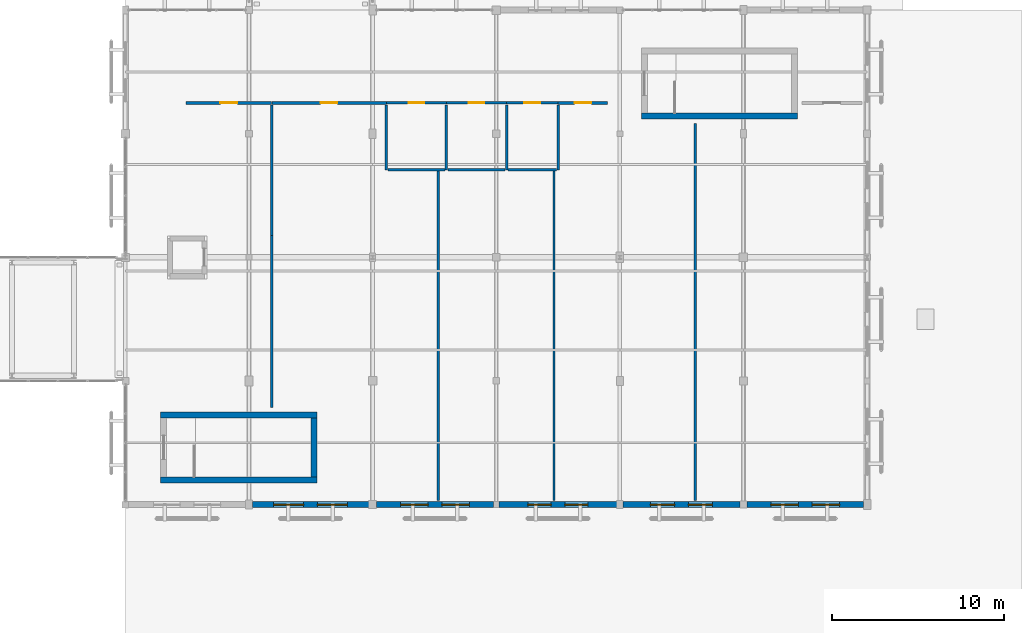
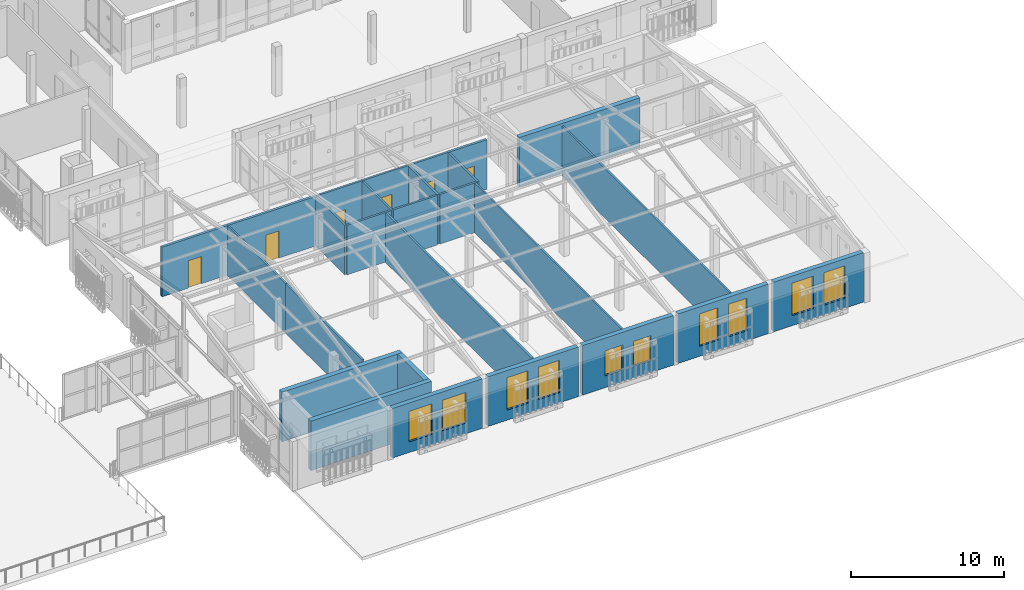
# One storey, part 86 of 112: 27 walls, 10 windows, 6 doors, 16 openings.
"""IFC4 building model written with IfcOpenShell, lengths in metres."""

import ifcopenshell
import ifcopenshell.guid

model = None  # the IFC model being written
_history = None  # IfcOwnerHistory: only IFC2X3 demands one
_inside = {}  # id of a spatial element -> (the spatial element, [elements in it])
_under = {}  # id of a project, library or spatial element -> (it, [spatial elements below it])
_declared = {}  # id of a project -> (the project, [libraries it declares])
_typed = {}  # id of a type object -> (the type object, [elements of that type])
_made_of = {}  # id of a material, layer set ... -> (it, [elements and type objects made of it])


def new_model(schema):
    """Start an empty IFC model of exactly this schema.

    Asked for "IFC4X3", IfcOpenShell would pick the latest addendum, in which some entities
    have other attributes; the version numbers below select the first issue.
    IFC2X3 requires an IfcOwnerHistory on every rooted entity: one is made here for all.
    """
    global model, _history
    if schema == "IFC4X3":
        model = ifcopenshell.file(schema_version=(4, 3, 0, 0))
    else:
        model = ifcopenshell.file(schema=schema)
    _inside.clear()
    _under.clear()
    _declared.clear()
    _typed.clear()
    _made_of.clear()
    _history = None
    if model.schema == "IFC2X3":
        org = make("IfcOrganization", Name="unknown")
        user = make(
            "IfcPersonAndOrganization",
            ThePerson=make("IfcPerson", FamilyName="unknown"),
            TheOrganization=org,
        )
        app = make(
            "IfcApplication",
            ApplicationDeveloper=org,
            Version="unknown",
            ApplicationFullName="unknown",
            ApplicationIdentifier="unknown",
        )
        _history = make(
            "IfcOwnerHistory",
            OwningUser=user,
            OwningApplication=app,
            ChangeAction="ADDED",
            CreationDate=0,
        )
    return model


def make(cls, **values):
    """One entity of the class cls with the attributes given. An attribute that is None is left unset."""
    return model.create_entity(
        cls, **{name: value for name, value in values.items() if value is not None}
    )


def rooted(cls, **values):
    """An entity with a GlobalId (a new one), such as an element, a storey or a relation."""
    return make(cls, GlobalId=ifcopenshell.guid.new(), OwnerHistory=_history, **values)


def si_unit(unit_type, name, prefix=None):
    """IfcSIUnit, for example si_unit("LENGTHUNIT", "METRE", prefix="MILLI")."""
    return make("IfcSIUnit", UnitType=unit_type, Prefix=prefix, Name=name)


def assignment(units):
    """IfcUnitAssignment: the units of a project."""
    return None if units is None else make("IfcUnitAssignment", Units=units)


def point(xyz):
    """IfcCartesianPoint."""
    return None if xyz is None else make("IfcCartesianPoint", Coordinates=xyz)


def direction(xyz):
    """IfcDirection."""
    return None if xyz is None else make("IfcDirection", DirectionRatios=xyz)


def frame(location, z_axis=None, x_axis=None):
    """IfcAxis2Placement3D, a coordinate frame: its origin and axes. An axis left out is left unset."""
    return make(
        "IfcAxis2Placement3D",
        Location=point(location),
        Axis=direction(z_axis),
        RefDirection=direction(x_axis),
    )


def frame_2d(location, x_axis=None):
    """IfcAxis2Placement2D, a coordinate frame in the plane: its origin and x axis."""
    return make(
        "IfcAxis2Placement2D", Location=point(location), RefDirection=direction(x_axis)
    )


def origin():
    """The frame at (0, 0, 0) with its axes left unset."""
    return frame((0.0, 0.0, 0.0))


def place(relative_to, where):
    """IfcLocalPlacement: puts the frame where relative to a parent placement (None: the world)."""
    return make(
        "IfcLocalPlacement", PlacementRelTo=relative_to, RelativePlacement=where
    )


def context(
    kind, dimensions, precision=None, world=None, true_north=None, identifier=None
):
    """IfcGeometricRepresentationContext, for example the 3D "Model" context."""
    return make(
        "IfcGeometricRepresentationContext",
        ContextIdentifier=identifier,
        ContextType=kind,
        CoordinateSpaceDimension=dimensions,
        Precision=precision,
        WorldCoordinateSystem=world,
        TrueNorth=true_north,
    )


def subcontext(parent, identifier, kind, view, scale=None):
    """IfcGeometricRepresentationSubContext, for example "Body" below "Model"."""
    return make(
        "IfcGeometricRepresentationSubContext",
        ContextIdentifier=identifier,
        ContextType=kind,
        ParentContext=parent,
        TargetScale=scale,
        TargetView=view,
    )


def project(units=None, contexts=None):
    """IfcProject with its units and contexts."""
    return rooted(
        "IfcProject",
        Name="project",
        RepresentationContexts=contexts,
        UnitsInContext=assignment(units),
    )


def spatial(cls, under=None, at=None, **own):
    """A site, building, storey or space (cls), placed at a placement, below another one or the project."""
    s = rooted(cls, ObjectPlacement=at, **own)
    if under is not None:
        _under.setdefault(under.id(), (under, []))[1].append(s)
    return s


def profile(cls, at=None, kind="AREA", **sizes):
    """A parametric profile (cls). Its sizes go by their IFC names, for example OverallWidth=200.0."""
    return make(cls, ProfileType=kind, Position=at, **sizes)


def rectangle(**sizes):
    """IfcRectangleProfileDef."""
    return profile("IfcRectangleProfileDef", **sizes)


def extrude(swept, where, along, depth):
    """IfcExtrudedAreaSolid: the profile swept, set in the frame where, extruded along a direction by depth."""
    return make(
        "IfcExtrudedAreaSolid",
        SweptArea=swept,
        Position=where,
        ExtrudedDirection=direction(along),
        Depth=depth,
    )


def shape(context_of_items, identifier, shape_type, items):
    """IfcShapeRepresentation: the items that make up one representation, for example the "Body"."""
    return make(
        "IfcShapeRepresentation",
        ContextOfItems=context_of_items,
        RepresentationIdentifier=identifier,
        RepresentationType=shape_type,
        Items=items,
    )


def material(Name=None, Category=None):
    """IfcMaterial."""
    return make("IfcMaterial", Name=Name, Category=Category)


def layer(
    of_material, thickness, ventilated=None, Name=None, Category=None, Priority=None
):
    """IfcMaterialLayer: one layer of a wall or slab, of a material (None: an air gap)."""
    return make(
        "IfcMaterialLayer",
        Material=of_material,
        LayerThickness=thickness,
        IsVentilated=ventilated,
        Name=Name,
        Category=Category,
        Priority=Priority,
    )


def layer_set(layers, Name=None):
    """IfcMaterialLayerSet."""
    return make("IfcMaterialLayerSet", MaterialLayers=layers, LayerSetName=Name)


def made_of(thing, what):
    """Note that an element or type object is made of a material, layer set ...; save() writes the relation."""
    if what is not None:
        _made_of.setdefault(what.id(), (what, []))[1].append(thing)
    return thing


def type_object(cls, material=None, **own):
    """A type object (cls), such as IfcWallType, which elements share."""
    return made_of(rooted(cls, **own), material)


def element(
    cls,
    number,
    at=None,
    inside=None,
    cuts=None,
    type_object=None,
    material=None,
    context=None,
    identifier="Body",
    shape_type=None,
    held_by="IfcProductDefinitionShape",
    body=None,
    shapes=None,
    **own,
):
    """One element of the class cls, such as IfcWall. Its Tag is "e" and its number.

    at: its placement. inside: the storey or other place that contains it. cuts: it is an
    opening in that element (IfcRelVoidsElement). A single representation is given by context,
    identifier, shape_type and body (its items); several are given by shapes. held_by: the class
    of the entity that holds the representations. save() writes the other relations.
    """
    e = rooted(cls, Tag="e%d" % number, ObjectPlacement=at, **own)
    if body is not None:
        shapes = [shape(context, identifier, shape_type, body)]
    if shapes is not None:
        e.Representation = make(held_by, Representations=shapes)
    if inside is not None:
        _inside.setdefault(inside.id(), (inside, []))[1].append(e)
    if cuts is not None:
        rooted(
            "IfcRelVoidsElement", RelatingBuildingElement=cuts, RelatedOpeningElement=e
        )
    if type_object is not None:
        _typed.setdefault(type_object.id(), (type_object, []))[1].append(e)
    return made_of(e, material)


def fill(opening, filler):
    """IfcRelFillsElement: the door or window that sits in an opening."""
    return rooted(
        "IfcRelFillsElement",
        RelatingOpeningElement=opening,
        RelatedBuildingElement=filler,
    )


def aggregate(whole, parts):
    """IfcRelAggregates: a whole, such as a stair, and the parts it consists of."""
    return rooted("IfcRelAggregates", RelatingObject=whole, RelatedObjects=parts)


def save(model, path):
    """Write the relations noted so far, then the file.

    IfcRelAggregates (storeys below a building ...), IfcRelContainedInSpatialStructure (elements
    in a storey), IfcRelDefinesByType, IfcRelAssociatesMaterial and IfcRelDeclares: one each for
    every whole, place, type object, material and project.
    """
    for whole, parts in _under.values():
        aggregate(whole, parts)
    for where, things in _inside.values():
        rooted(
            "IfcRelContainedInSpatialStructure",
            RelatedElements=things,
            RelatingStructure=where,
        )
    for kind, things in _typed.values():
        rooted("IfcRelDefinesByType", RelatedObjects=things, RelatingType=kind)
    for what, things in _made_of.values():
        rooted("IfcRelAssociatesMaterial", RelatedObjects=things, RelatingMaterial=what)
    for by, libraries in _declared.values():
        rooted("IfcRelDeclares", RelatingContext=by, RelatedDefinitions=libraries)
    model.write(path)


model = new_model("IFC4")

# Units and contexts
model_context = context("Model", 3, precision=1e-05, world=origin(), true_north=direction((0.0, 1.0)))
body_context = subcontext(model_context, "Body", "Model", "MODEL_VIEW")
ifc_project = project(units=[si_unit("LENGTHUNIT", "METRE"), si_unit("AREAUNIT", "SQUARE_METRE"), si_unit("VOLUMEUNIT", "CUBIC_METRE"), si_unit("PLANEANGLEUNIT", "RADIAN"), si_unit("MASSUNIT", "GRAM", prefix="KILO")], contexts=[model_context])

# Site, building, storey
site_placement = place(None, origin())
site = spatial("IfcSite", under=ifc_project, at=site_placement, CompositionType="ELEMENT")
building_placement = place(site_placement, origin())
building = spatial("IfcBuilding", under=site, at=building_placement, Name="Mazaris Harbour Polytechnic", CompositionType="ELEMENT")
storey_placement = place(building_placement, frame((0.0, 0.0, 13.800048828125)))
storey = spatial("IfcBuildingStorey", under=building, at=storey_placement, Name="L03", CompositionType="ELEMENT", Elevation=13.800048828125)

# Walls
ifc_material_1 = material(Name="Gypsum Board and Mineral Wool")
ifc_layer_1 = layer(ifc_material_1, 0.1201171875, Name="Gypsum Board and Mineral Wool")
ifc_layer_set_1 = layer_set([ifc_layer_1], Name="Gypsum Board and Mineral Wool")
wall_type_1 = type_object("IfcWallType", Name="Acoustic Stud Partition 120", PredefinedType="PARTITIONING", material=ifc_layer_set_1)
wall_1_placement = place(storey_placement, frame((147.3701171875, 14.64990234375, 0.0), z_axis=(0.0, 0.0, 1.0), x_axis=(0.0, 1.0, 0.0)))
element("IfcWall", 1, at=wall_1_placement, inside=storey, type_object=wall_type_1, Name="V2 L03 Partition 171", PredefinedType="PARTITIONING", context=body_context, shape_type="SweptSolid", body=[
    extrude(rectangle(XDim=19.16748046875, YDim=0.1201171875, at=frame_2d((9.583740234375, 0.0))), origin(), (0.0, 0.0, 1.0), 3.9599609375),
])
ifc_material_2 = material(Name="Double Gypsum and Mineral Wool")
ifc_layer_2 = layer(ifc_material_2, 0.14990234375, Name="Double Gypsum and Mineral Wool")
ifc_layer_set_2 = layer_set([ifc_layer_2], Name="Double Gypsum and Mineral Wool")
wall_type_2 = type_object("IfcWallType", Name="Classroom Acoustic Partition 150", PredefinedType="PARTITIONING", material=ifc_layer_set_2)
wall_2_placement = place(storey_placement, frame((140.62890625, 14.64990234375, 0.0), z_axis=(0.0, 0.0, 1.0), x_axis=(0.0, 1.0, 0.0)))
element("IfcWall", 2, at=wall_2_placement, inside=storey, type_object=wall_type_2, Name="V2 L03 Partition 169", PredefinedType="PARTITIONING", context=body_context, shape_type="SweptSolid", body=[
    extrude(rectangle(XDim=19.16748046875, YDim=0.14990234375, at=frame_2d((9.583740234375, 0.0))), origin(), (0.0, 0.0, 1.0), 3.9599609375),
])

# Wall, opening, door
ifc_material_3 = material(Name="Terracotta Block and Plaster", Category="masonry")
ifc_layer_3 = layer(ifc_material_3, 0.179931640625, Name="Terracotta Block and Plaster")
ifc_layer_set_3 = layer_set([ifc_layer_3], Name="Terracotta Block and Plaster")
wall_type_3 = type_object("IfcWallType", Name="Corridor Fire Partition 180", PredefinedType="PARTITIONING", material=ifc_layer_set_3)
wall_3_placement = place(storey_placement, frame((125.919921875, 37.800048828125, 0.0), z_axis=(0.0, 0.0, 1.0), x_axis=(1.0, 0.0, 0.0)))
wall_3 = element("IfcWall", 3, at=wall_3_placement, inside=storey, type_object=wall_type_3, Name="V2 L03 Partition 165", PredefinedType="PARTITIONING", context=body_context, shape_type="SweptSolid", body=[
    extrude(rectangle(XDim=5.003173828125, YDim=0.179931640625, at=frame_2d((2.50146484375, 0.0))), origin(), (0.0, 0.0, 1.0), 3.9599609375),
])
opening_1_placement = place(wall_3_placement, frame((2.006591796875, 0.0, 0.0)))
opening_1 = element("IfcOpeningElement", 4, at=opening_1_placement, cuts=wall_3, Name="Opening ID-08R", PredefinedType="OPENING", context=body_context, shape_type="SweptSolid", body=[
    extrude(rectangle(XDim=0.989990234375, YDim=2.179931640625, at=frame_2d((0.4951171875, 1.08984375))), frame((0.0, 0.099853515625, 0.0), z_axis=(0.0, -1.0, 0.0), x_axis=(1.0, 0.0, 0.0)), (0.0, 0.0, 1.0), 0.199951171875),
])
ifc_material_4 = material(Name="Solid Oak Timber", Category="wood")
door_type_1 = type_object("IfcDoorType", Name="Seminar Room Door RH 990x2180", OperationType="SINGLE_SWING_RIGHT", PredefinedType="DOOR", material=ifc_material_4)
door_1_placement = place(opening_1_placement, origin())
door_1 = element("IfcDoor", 5, at=door_1_placement, inside=storey, type_object=door_type_1, Name="ID-0077", OperationType="SINGLE_SWING_RIGHT", OverallHeight=2.179931640625, OverallWidth=0.989990234375, PredefinedType="DOOR", context=body_context, shape_type="SweptSolid", body=[
    extrude(rectangle(XDim=0.989990234375, YDim=2.179931640625, at=frame_2d((0.4951171875, 1.08984375))), frame((0.0, 0.02490234375, 0.0), z_axis=(0.0, -1.0, 0.0), x_axis=(1.0, 0.0, 0.0)), (0.0, 0.0, 1.0), 0.050048828125),
])
fill(opening_1, door_1)

wall_4_placement = place(storey_placement, frame((130.927978515625, 37.800048828125, 0.0), z_axis=(0.0, 0.0, 1.0), x_axis=(1.0, 0.0, 0.0)))
wall_4 = element("IfcWall", 6, at=wall_4_placement, inside=storey, type_object=wall_type_3, Name="V2 L03 Partition 167", PredefinedType="PARTITIONING", context=body_context, shape_type="SweptSolid", body=[
    extrude(rectangle(XDim=6.6669921875, YDim=0.179931640625, at=frame_2d((3.33349609375, 0.0))), origin(), (0.0, 0.0, 1.0), 3.9599609375),
])
opening_2_placement = place(wall_4_placement, frame((2.843505859375, 0.0, 0.0)))
opening_2 = element("IfcOpeningElement", 7, at=opening_2_placement, cuts=wall_4, Name="Opening ID-08L", PredefinedType="OPENING", context=body_context, shape_type="SweptSolid", body=[
    extrude(rectangle(XDim=0.97998046875, YDim=2.179931640625, at=frame_2d((0.489990234375, 1.08984375))), frame((0.0, 0.099853515625, 0.0), z_axis=(0.0, -1.0, 0.0), x_axis=(1.0, 0.0, 0.0)), (0.0, 0.0, 1.0), 0.199951171875),
])
ifc_material_5 = material(Name="Solid Oak Timber", Category="wood")
door_type_2 = type_object("IfcDoorType", Name="Seminar Room Door LH 980x2180", OperationType="SINGLE_SWING_LEFT", PredefinedType="DOOR", material=ifc_material_5)
door_2_placement = place(opening_2_placement, origin())
door_2 = element("IfcDoor", 8, at=door_2_placement, inside=storey, type_object=door_type_2, Name="ID-0078", OperationType="SINGLE_SWING_LEFT", OverallHeight=2.179931640625, OverallWidth=0.97998046875, PredefinedType="DOOR", context=body_context, shape_type="SweptSolid", body=[
    extrude(rectangle(XDim=0.97998046875, YDim=2.179931640625, at=frame_2d((0.489990234375, 1.08984375))), frame((0.0, 0.02490234375, 0.0), z_axis=(0.0, -1.0, 0.0), x_axis=(1.0, 0.0, 0.0)), (0.0, 0.0, 1.0), 0.050048828125),
])
fill(opening_2, door_2)

wall_5_placement = place(storey_placement, frame((147.60498046875, 37.800048828125, 0.0), z_axis=(0.0, 0.0, 1.0), x_axis=(1.0, 0.0, 0.0)))
wall_5 = element("IfcWall", 9, at=wall_5_placement, inside=storey, type_object=wall_type_3, Name="V2 L03 Partition 170", PredefinedType="PARTITIONING", context=body_context, shape_type="SweptSolid", body=[
    extrude(rectangle(XDim=2.89013671875, YDim=0.179931640625, at=frame_2d((1.445068359375, 0.0))), origin(), (0.0, 0.0, 1.0), 3.9599609375),
])
opening_3_placement = place(wall_5_placement, frame((0.955078125, 0.0, 0.0)))
opening_3 = element("IfcOpeningElement", 10, at=opening_3_placement, cuts=wall_5, Name="Opening ID-08L", PredefinedType="OPENING", context=body_context, shape_type="SweptSolid", body=[
    extrude(rectangle(XDim=0.97998046875, YDim=2.179931640625, at=frame_2d((0.489990234375, 1.08984375))), frame((0.0, 0.099853515625, 0.0), z_axis=(0.0, -1.0, 0.0), x_axis=(1.0, 0.0, 0.0)), (0.0, 0.0, 1.0), 0.199951171875),
])
door_3_placement = place(opening_3_placement, origin())
door_3 = element("IfcDoor", 11, at=door_3_placement, inside=storey, type_object=door_type_2, Name="ID-0079", OperationType="SINGLE_SWING_LEFT", OverallHeight=2.179931640625, OverallWidth=0.97998046875, PredefinedType="DOOR", context=body_context, shape_type="SweptSolid", body=[
    extrude(rectangle(XDim=0.97998046875, YDim=2.179931640625, at=frame_2d((0.489990234375, 1.08984375))), frame((0.0, 0.02490234375, 0.0), z_axis=(0.0, -1.0, 0.0), x_axis=(1.0, 0.0, 0.0)), (0.0, 0.0, 1.0), 0.050048828125),
])
fill(opening_3, door_3)

# Wall, openings, windows
ifc_material_6 = material(Name="Algerian Buff Limestone and Concrete C30/37", Category="masonry")
ifc_layer_4 = layer(ifc_material_6, 0.344970703125, Name="Algerian Buff Limestone and Concrete C30/37")
ifc_layer_set_4 = layer_set([ifc_layer_4], Name="Algerian Buff Limestone and Concrete C30/37")
wall_type_4 = type_object("IfcWallType", Name="Pavilion Gable Wall 345", PredefinedType="STANDARD", material=ifc_layer_set_4)
wall_6_placement = place(storey_placement, frame((136.577880859375, 14.39990234375, 0.0), z_axis=(0.0, 0.0, 1.0), x_axis=(-1.0, 0.0, 0.0)))
wall_6 = element("IfcWall", 12, at=wall_6_placement, inside=storey, type_object=wall_type_4, Name="V2 L03 Exterior Wall 84", PredefinedType="STANDARD", context=body_context, shape_type="SweptSolid", body=[
    extrude(rectangle(XDim=6.785888671875, YDim=0.344970703125, at=frame_2d((3.39306640625, 0.0))), origin(), (0.0, 0.0, 1.0), 3.9599609375),
])
opening_4_placement = place(wall_6_placement, frame((1.242919921875, 0.0, 0.85009765625)))
opening_4 = element("IfcOpeningElement", 13, at=opening_4_placement, cuts=wall_6, Name="Opening WN-27", PredefinedType="OPENING", context=body_context, shape_type="SweptSolid", body=[
    extrude(rectangle(XDim=1.75, YDim=2.449951171875, at=frame_2d((0.875, 1.22509765625))), frame((0.0, 0.182373046875, 0.0), z_axis=(0.0, -1.0, 0.0), x_axis=(1.0, 0.0, 0.0)), (0.0, 0.0, 1.0), 0.364990234375),
])
opening_5_placement = place(wall_6_placement, frame((3.79296875, 0.0, 0.85009765625)))
opening_5 = element("IfcOpeningElement", 14, at=opening_5_placement, cuts=wall_6, Name="Opening WN-27", PredefinedType="OPENING", context=body_context, shape_type="SweptSolid", body=[
    extrude(rectangle(XDim=1.75, YDim=2.449951171875, at=frame_2d((0.875, 1.22509765625))), frame((0.0, 0.182373046875, 0.0), z_axis=(0.0, -1.0, 0.0), x_axis=(1.0, 0.0, 0.0)), (0.0, 0.0, 1.0), 0.364990234375),
])
ifc_material_7 = material(Name="Thermally Broken Bronze Aluminium and Low-E Glass", Category="aluminium")
window_type_1 = type_object("IfcWindowType", Name="Studio Tall Casement 1750x2450", PartitioningType="DOUBLE_PANEL_VERTICAL", PredefinedType="WINDOW", material=ifc_material_7)
window_1_placement = place(opening_4_placement, origin())
window_1 = element("IfcWindow", 15, at=window_1_placement, inside=storey, type_object=window_type_1, Name="WN-0085", OverallHeight=2.449951171875, OverallWidth=1.75, PartitioningType="DOUBLE_PANEL_VERTICAL", PredefinedType="WINDOW", context=body_context, shape_type="SweptSolid", body=[
    extrude(rectangle(XDim=1.75, YDim=2.449951171875, at=frame_2d((0.875, 1.22509765625))), frame((0.0, 0.030029296875, 0.0), z_axis=(0.0, -1.0, 0.0), x_axis=(1.0, 0.0, 0.0)), (0.0, 0.0, 1.0), 0.06005859375),
])
fill(opening_4, window_1)
window_2_placement = place(opening_5_placement, origin())
window_2 = element("IfcWindow", 16, at=window_2_placement, inside=storey, type_object=window_type_1, Name="WN-0086", OverallHeight=2.449951171875, OverallWidth=1.75, PartitioningType="DOUBLE_PANEL_VERTICAL", PredefinedType="WINDOW", context=body_context, shape_type="SweptSolid", body=[
    extrude(rectangle(XDim=1.75, YDim=2.449951171875, at=frame_2d((0.875, 1.22509765625))), frame((0.0, 0.030029296875, 0.0), z_axis=(0.0, -1.0, 0.0), x_axis=(1.0, 0.0, 0.0)), (0.0, 0.0, 1.0), 0.06005859375),
])
fill(opening_5, window_2)

wall_7_placement = place(storey_placement, frame((143.837890625, 14.39990234375, 0.0), z_axis=(0.0, 0.0, 1.0), x_axis=(-1.0, 0.0, 0.0)))
wall_7 = element("IfcWall", 17, at=wall_7_placement, inside=storey, type_object=wall_type_4, Name="V2 L03 Exterior Wall 85", PredefinedType="STANDARD", context=body_context, shape_type="SweptSolid", body=[
    extrude(rectangle(XDim=6.81591796875, YDim=0.344970703125, at=frame_2d((3.407958984375, 0.0))), origin(), (0.0, 0.0, 1.0), 3.9599609375),
])
opening_6_placement = place(wall_7_placement, frame((1.407958984375, 0.0, 0.800048828125)))
opening_6 = element("IfcOpeningElement", 18, at=opening_6_placement, cuts=wall_7, Name="Opening WN-02", PredefinedType="OPENING", context=body_context, shape_type="SweptSolid", body=[
    extrude(rectangle(XDim=1.60009765625, YDim=2.60009765625, at=frame_2d((0.800048828125, 1.300048828125))), frame((0.0, 0.182373046875, 0.0), z_axis=(0.0, -1.0, 0.0), x_axis=(1.0, 0.0, 0.0)), (0.0, 0.0, 1.0), 0.364990234375),
])
opening_7_placement = place(wall_7_placement, frame((3.80810546875, 0.0, 0.800048828125)))
opening_7 = element("IfcOpeningElement", 19, at=opening_7_placement, cuts=wall_7, Name="Opening WN-02", PredefinedType="OPENING", context=body_context, shape_type="SweptSolid", body=[
    extrude(rectangle(XDim=1.60009765625, YDim=2.60009765625, at=frame_2d((0.800048828125, 1.300048828125))), frame((0.0, 0.182373046875, 0.0), z_axis=(0.0, -1.0, 0.0), x_axis=(1.0, 0.0, 0.0)), (0.0, 0.0, 1.0), 0.364990234375),
])
ifc_material_8 = material(Name="Thermally Broken Bronze Aluminium and Low-E Glass", Category="aluminium")
window_type_2 = type_object("IfcWindowType", Name="Neoclassical Tall Window 1600x2600", PartitioningType="DOUBLE_PANEL_VERTICAL", PredefinedType="WINDOW", material=ifc_material_8)
window_3_placement = place(opening_6_placement, origin())
window_3 = element("IfcWindow", 20, at=window_3_placement, inside=storey, type_object=window_type_2, Name="WN-0087", OverallHeight=2.60009765625, OverallWidth=1.60009765625, PartitioningType="DOUBLE_PANEL_VERTICAL", PredefinedType="WINDOW", context=body_context, shape_type="SweptSolid", body=[
    extrude(rectangle(XDim=1.60009765625, YDim=2.60009765625, at=frame_2d((0.800048828125, 1.300048828125))), frame((0.0, 0.030029296875, 0.0), z_axis=(0.0, -1.0, 0.0), x_axis=(1.0, 0.0, 0.0)), (0.0, 0.0, 1.0), 0.06005859375),
])
fill(opening_6, window_3)
window_4_placement = place(opening_7_placement, origin())
window_4 = element("IfcWindow", 21, at=window_4_placement, inside=storey, type_object=window_type_2, Name="WN-0088", OverallHeight=2.60009765625, OverallWidth=1.60009765625, PartitioningType="DOUBLE_PANEL_VERTICAL", PredefinedType="WINDOW", context=body_context, shape_type="SweptSolid", body=[
    extrude(rectangle(XDim=1.60009765625, YDim=2.60009765625, at=frame_2d((0.800048828125, 1.300048828125))), frame((0.0, 0.030029296875, 0.0), z_axis=(0.0, -1.0, 0.0), x_axis=(1.0, 0.0, 0.0)), (0.0, 0.0, 1.0), 0.06005859375),
])
fill(opening_7, window_4)

wall_8_placement = place(storey_placement, frame((151.028076171875, 14.39990234375, 0.0), z_axis=(0.0, 0.0, 1.0), x_axis=(-1.0, 0.0, 0.0)))
wall_8 = element("IfcWall", 22, at=wall_8_placement, inside=storey, type_object=wall_type_4, Name="V2 L03 Exterior Wall 86", PredefinedType="STANDARD", context=body_context, shape_type="SweptSolid", body=[
    extrude(rectangle(XDim=6.865966796875, YDim=0.344970703125, at=frame_2d((3.43310546875, 0.0))), origin(), (0.0, 0.0, 1.0), 3.9599609375),
])
opening_8_placement = place(wall_8_placement, frame((1.68310546875, 0.0, 0.949951171875)))
opening_8 = element("IfcOpeningElement", 23, at=opening_8_placement, cuts=wall_8, Name="Opening WN-30", PredefinedType="OPENING", context=body_context, shape_type="SweptSolid", body=[
    extrude(rectangle(XDim=1.35009765625, YDim=2.0, at=frame_2d((0.675048828125, 1.0))), frame((0.0, 0.182373046875, 0.0), z_axis=(0.0, -1.0, 0.0), x_axis=(1.0, 0.0, 0.0)), (0.0, 0.0, 1.0), 0.364990234375),
])
opening_9_placement = place(wall_8_placement, frame((3.8330078125, 0.0, 0.949951171875)))
opening_9 = element("IfcOpeningElement", 24, at=opening_9_placement, cuts=wall_8, Name="Opening WN-30", PredefinedType="OPENING", context=body_context, shape_type="SweptSolid", body=[
    extrude(rectangle(XDim=1.35009765625, YDim=2.0, at=frame_2d((0.675048828125, 1.0))), frame((0.0, 0.182373046875, 0.0), z_axis=(0.0, -1.0, 0.0), x_axis=(1.0, 0.0, 0.0)), (0.0, 0.0, 1.0), 0.364990234375),
])
ifc_material_9 = material(Name="Thermally Broken Bronze Aluminium and Low-E Glass", Category="aluminium")
window_type_3 = type_object("IfcWindowType", Name="Pavilion Side Window 1350x2000", PartitioningType="DOUBLE_PANEL_VERTICAL", PredefinedType="WINDOW", material=ifc_material_9)
window_5_placement = place(opening_8_placement, origin())
window_5 = element("IfcWindow", 25, at=window_5_placement, inside=storey, type_object=window_type_3, Name="WN-0089", OverallHeight=2.0, OverallWidth=1.35009765625, PartitioningType="DOUBLE_PANEL_VERTICAL", PredefinedType="WINDOW", context=body_context, shape_type="SweptSolid", body=[
    extrude(rectangle(XDim=1.35009765625, YDim=2.0, at=frame_2d((0.675048828125, 1.0))), frame((0.0, 0.030029296875, 0.0), z_axis=(0.0, -1.0, 0.0), x_axis=(1.0, 0.0, 0.0)), (0.0, 0.0, 1.0), 0.06005859375),
])
fill(opening_8, window_5)
window_6_placement = place(opening_9_placement, origin())
window_6 = element("IfcWindow", 26, at=window_6_placement, inside=storey, type_object=window_type_3, Name="WN-0090", OverallHeight=2.0, OverallWidth=1.35009765625, PartitioningType="DOUBLE_PANEL_VERTICAL", PredefinedType="WINDOW", context=body_context, shape_type="SweptSolid", body=[
    extrude(rectangle(XDim=1.35009765625, YDim=2.0, at=frame_2d((0.675048828125, 1.0))), frame((0.0, 0.030029296875, 0.0), z_axis=(0.0, -1.0, 0.0), x_axis=(1.0, 0.0, 0.0)), (0.0, 0.0, 1.0), 0.06005859375),
])
fill(opening_9, window_6)

wall_9_placement = place(storey_placement, frame((158.197998046875, 14.39990234375, 0.0), z_axis=(0.0, 0.0, 1.0), x_axis=(-1.0, 0.0, 0.0)))
wall_9 = element("IfcWall", 27, at=wall_9_placement, inside=storey, type_object=wall_type_4, Name="V2 L03 Exterior Wall 87", PredefinedType="STANDARD", context=body_context, shape_type="SweptSolid", body=[
    extrude(rectangle(XDim=6.825927734375, YDim=0.344970703125, at=frame_2d((3.4130859375, 0.0))), origin(), (0.0, 0.0, 1.0), 3.9599609375),
])
opening_10_placement = place(wall_9_placement, frame((1.613037109375, 0.0, 0.800048828125)))
opening_10 = element("IfcOpeningElement", 28, at=opening_10_placement, cuts=wall_9, Name="Opening WN-01", PredefinedType="OPENING", context=body_context, shape_type="SweptSolid", body=[
    extrude(rectangle(XDim=1.39990234375, YDim=2.60009765625, at=frame_2d((0.699951171875, 1.300048828125))), frame((0.0, 0.182373046875, 0.0), z_axis=(0.0, -1.0, 0.0), x_axis=(1.0, 0.0, 0.0)), (0.0, 0.0, 1.0), 0.364990234375),
])
opening_11_placement = place(wall_9_placement, frame((3.81298828125, 0.0, 0.800048828125)))
opening_11 = element("IfcOpeningElement", 29, at=opening_11_placement, cuts=wall_9, Name="Opening WN-01", PredefinedType="OPENING", context=body_context, shape_type="SweptSolid", body=[
    extrude(rectangle(XDim=1.39990234375, YDim=2.60009765625, at=frame_2d((0.699951171875, 1.300048828125))), frame((0.0, 0.182373046875, 0.0), z_axis=(0.0, -1.0, 0.0), x_axis=(1.0, 0.0, 0.0)), (0.0, 0.0, 1.0), 0.364990234375),
])
ifc_material_10 = material(Name="Thermally Broken Bronze Aluminium and Low-E Glass", Category="aluminium")
window_type_4 = type_object("IfcWindowType", Name="Neoclassical Tall Window 1400x2600", PartitioningType="DOUBLE_PANEL_VERTICAL", PredefinedType="WINDOW", material=ifc_material_10)
window_7_placement = place(opening_10_placement, origin())
window_7 = element("IfcWindow", 30, at=window_7_placement, inside=storey, type_object=window_type_4, Name="WN-0091", OverallHeight=2.60009765625, OverallWidth=1.39990234375, PartitioningType="DOUBLE_PANEL_VERTICAL", PredefinedType="WINDOW", context=body_context, shape_type="SweptSolid", body=[
    extrude(rectangle(XDim=1.39990234375, YDim=2.60009765625, at=frame_2d((0.699951171875, 1.300048828125))), frame((0.0, 0.030029296875, 0.0), z_axis=(0.0, -1.0, 0.0), x_axis=(1.0, 0.0, 0.0)), (0.0, 0.0, 1.0), 0.06005859375),
])
fill(opening_10, window_7)
window_8_placement = place(opening_11_placement, origin())
window_8 = element("IfcWindow", 31, at=window_8_placement, inside=storey, type_object=window_type_4, Name="WN-0092", OverallHeight=2.60009765625, OverallWidth=1.39990234375, PartitioningType="DOUBLE_PANEL_VERTICAL", PredefinedType="WINDOW", context=body_context, shape_type="SweptSolid", body=[
    extrude(rectangle(XDim=1.39990234375, YDim=2.60009765625, at=frame_2d((0.699951171875, 1.300048828125))), frame((0.0, 0.030029296875, 0.0), z_axis=(0.0, -1.0, 0.0), x_axis=(1.0, 0.0, 0.0)), (0.0, 0.0, 1.0), 0.06005859375),
])
fill(opening_11, window_8)

wall_10_placement = place(storey_placement, frame((165.387939453125, 14.39990234375, 0.0), z_axis=(0.0, 0.0, 1.0), x_axis=(-1.0, 0.0, 0.0)))
wall_10 = element("IfcWall", 32, at=wall_10_placement, inside=storey, type_object=wall_type_4, Name="V2 L03 Exterior Wall 88", PredefinedType="STANDARD", context=body_context, shape_type="SweptSolid", body=[
    extrude(rectangle(XDim=6.785888671875, YDim=0.344970703125, at=frame_2d((3.39306640625, 0.0))), origin(), (0.0, 0.0, 1.0), 3.9599609375),
])
opening_12_placement = place(wall_10_placement, frame((1.39306640625, 0.0, 0.800048828125)))
opening_12 = element("IfcOpeningElement", 33, at=opening_12_placement, cuts=wall_10, Name="Opening WN-02", PredefinedType="OPENING", context=body_context, shape_type="SweptSolid", body=[
    extrude(rectangle(XDim=1.60009765625, YDim=2.60009765625, at=frame_2d((0.800048828125, 1.300048828125))), frame((0.0, 0.182373046875, 0.0), z_axis=(0.0, -1.0, 0.0), x_axis=(1.0, 0.0, 0.0)), (0.0, 0.0, 1.0), 0.364990234375),
])
opening_13_placement = place(wall_10_placement, frame((3.79296875, 0.0, 0.800048828125)))
opening_13 = element("IfcOpeningElement", 34, at=opening_13_placement, cuts=wall_10, Name="Opening WN-02", PredefinedType="OPENING", context=body_context, shape_type="SweptSolid", body=[
    extrude(rectangle(XDim=1.60009765625, YDim=2.60009765625, at=frame_2d((0.800048828125, 1.300048828125))), frame((0.0, 0.182373046875, 0.0), z_axis=(0.0, -1.0, 0.0), x_axis=(1.0, 0.0, 0.0)), (0.0, 0.0, 1.0), 0.364990234375),
])
window_9_placement = place(opening_12_placement, origin())
window_9 = element("IfcWindow", 35, at=window_9_placement, inside=storey, type_object=window_type_2, Name="WN-0093", OverallHeight=2.60009765625, OverallWidth=1.60009765625, PartitioningType="DOUBLE_PANEL_VERTICAL", PredefinedType="WINDOW", context=body_context, shape_type="SweptSolid", body=[
    extrude(rectangle(XDim=1.60009765625, YDim=2.60009765625, at=frame_2d((0.800048828125, 1.300048828125))), frame((0.0, 0.030029296875, 0.0), z_axis=(0.0, -1.0, 0.0), x_axis=(1.0, 0.0, 0.0)), (0.0, 0.0, 1.0), 0.06005859375),
])
fill(opening_12, window_9)
window_10_placement = place(opening_13_placement, origin())
window_10 = element("IfcWindow", 36, at=window_10_placement, inside=storey, type_object=window_type_2, Name="WN-0094", OverallHeight=2.60009765625, OverallWidth=1.60009765625, PartitioningType="DOUBLE_PANEL_VERTICAL", PredefinedType="WINDOW", context=body_context, shape_type="SweptSolid", body=[
    extrude(rectangle(XDim=1.60009765625, YDim=2.60009765625, at=frame_2d((0.800048828125, 1.300048828125))), frame((0.0, 0.030029296875, 0.0), z_axis=(0.0, -1.0, 0.0), x_axis=(1.0, 0.0, 0.0)), (0.0, 0.0, 1.0), 0.06005859375),
])
fill(opening_13, window_10)

# Walls
ifc_material_11 = material(Name="Concrete C40/50", Category="concrete")
ifc_layer_5 = layer(ifc_material_11, 0.35009765625, Name="Concrete C40/50")
ifc_layer_set_5 = layer_set([ifc_layer_5], Name="Concrete C40/50")
wall_type_5 = type_object("IfcWallType", Name="RC Core Shear Wall 350", PredefinedType="SHEAR", material=ifc_layer_set_5)
for number, where, z_axis, x_axis, name in (
    (37, (124.449951171875, 15.824951171875, 0.0), (0.0, 0.0, 1.0), (1.0, 0.0, 0.0), "Core ST03 L03 Shear Wall S"),
    (38, (133.550048828125, 19.625, 0.0), (0.0, 0.0, 1.0), (-1.0, 0.0, 0.0), "Core ST03 L03 Shear Wall N"),
):
    element("IfcWall", number, at=place(storey_placement, frame(where, z_axis=z_axis, x_axis=x_axis)), inside=storey, type_object=wall_type_5, Name=name, PredefinedType="SHEAR", context=body_context, shape_type="SweptSolid", body=[
        extrude(rectangle(XDim=9.10009765625, YDim=0.35009765625, at=frame_2d((4.550048828125, 0.0))), origin(), (0.0, 0.0, 1.0), 3.9599609375),
    ])
wall_11_placement = place(storey_placement, frame((133.375, 16.0, 0.0), z_axis=(0.0, 0.0, 1.0), x_axis=(0.0, 1.0, 0.0)))
element("IfcWall", 39, at=wall_11_placement, inside=storey, type_object=wall_type_5, Name="Core ST03 L03 Shear Wall E", PredefinedType="SHEAR", context=body_context, shape_type="SweptSolid", body=[
    extrude(rectangle(XDim=3.449951171875, YDim=0.35009765625, at=frame_2d((1.72509765625, 0.0))), origin(), (0.0, 0.0, 1.0), 3.9599609375),
])
wall_12_placement = place(storey_placement, frame((152.449951171875, 37.02490234375, 0.0), z_axis=(0.0, 0.0, 1.0), x_axis=(1.0, 0.0, 0.0)))
element("IfcWall", 40, at=wall_12_placement, inside=storey, type_object=wall_type_5, Name="Core ST04 L03 Shear Wall S", PredefinedType="SHEAR", context=body_context, shape_type="SweptSolid", body=[
    extrude(rectangle(XDim=9.10009765625, YDim=0.35009765625, at=frame_2d((4.550048828125, 0.0))), origin(), (0.0, 0.0, 1.0), 3.9599609375),
])

# Wall, opening, door
ifc_material_12 = material(Name="Moisture-Resistant Gypsum and Steel Stud", Category="steel")
ifc_layer_6 = layer(ifc_material_12, 0.14501953125, Name="Moisture-Resistant Gypsum and Steel Stud")
ifc_layer_set_6 = layer_set([ifc_layer_6], Name="Moisture-Resistant Gypsum and Steel Stud")
wall_type_6 = type_object("IfcWallType", Name="Sanitary Plumbing Wall 145", PredefinedType="PLUMBINGWALL", material=ifc_layer_set_6)
wall_13_placement = place(storey_placement, frame((137.60009765625, 37.800048828125, 0.0), z_axis=(0.0, 0.0, 1.0), x_axis=(1.0, 0.0, 0.0)))
wall_13 = element("IfcWall", 41, at=wall_13_placement, inside=storey, type_object=wall_type_6, Name="V2 L03 Partition 155", PredefinedType="PLUMBINGWALL", context=body_context, shape_type="SweptSolid", body=[
    extrude(rectangle(XDim=3.5, YDim=0.14501953125, at=frame_2d((1.75, 0.0))), origin(), (0.0, 0.0, 1.0), 3.9599609375),
])
opening_14_placement = place(wall_13_placement, frame((1.300048828125, 0.0, 0.0)))
opening_14 = element("IfcOpeningElement", 42, at=opening_14_placement, cuts=wall_13, Name="Opening ID-07R", PredefinedType="OPENING", context=body_context, shape_type="SweptSolid", body=[
    extrude(rectangle(XDim=0.89990234375, YDim=2.10009765625, at=frame_2d((0.449951171875, 1.050048828125))), frame((0.0, 0.08251953125, 0.0), z_axis=(0.0, -1.0, 0.0), x_axis=(1.0, 0.0, 0.0)), (0.0, 0.0, 1.0), 0.1650390625),
])
ifc_material_13 = material(Name="Moisture-Resistant Laminate Timber", Category="wood")
door_type_3 = type_object("IfcDoorType", Name="Sanitary Room Door RH 900x2100", OperationType="SINGLE_SWING_RIGHT", PredefinedType="DOOR", material=ifc_material_13)
door_4_placement = place(opening_14_placement, origin())
door_4 = element("IfcDoor", 43, at=door_4_placement, inside=storey, type_object=door_type_3, Name="ID-0074", OperationType="SINGLE_SWING_RIGHT", OverallHeight=2.10009765625, OverallWidth=0.89990234375, PredefinedType="DOOR", context=body_context, shape_type="SweptSolid", body=[
    extrude(rectangle(XDim=0.89990234375, YDim=2.10009765625, at=frame_2d((0.449951171875, 1.050048828125))), frame((0.0, 0.02490234375, 0.0), z_axis=(0.0, -1.0, 0.0), x_axis=(1.0, 0.0, 0.0)), (0.0, 0.0, 1.0), 0.050048828125),
])
fill(opening_14, door_4)

# Walls
for number, where, z_axis, x_axis, name in (
    (44, (137.60009765625, 33.89990234375, 0.0), (0.0, 0.0, 1.0), (0.0, 1.0, 0.0), "V2 L03 Partition 156"),
    (45, (141.10009765625, 33.89990234375, 0.0), (0.0, 0.0, 1.0), (0.0, 1.0, 0.0), "V2 L03 Partition 157"),
):
    element("IfcWall", number, at=place(storey_placement, frame(where, z_axis=z_axis, x_axis=x_axis)), inside=storey, type_object=wall_type_6, Name=name, PredefinedType="PLUMBINGWALL", context=body_context, shape_type="SweptSolid", body=[
        extrude(rectangle(XDim=3.780029296875, YDim=0.14501953125, at=frame_2d((1.89013671875, 0.0))), origin(), (0.0, 0.0, 1.0), 3.9599609375),
    ])
wall_14_placement = place(storey_placement, frame((137.6826171875, 33.89990234375, 0.0), z_axis=(0.0, 0.0, 1.0), x_axis=(1.0, 0.0, 0.0)))
element("IfcWall", 46, at=wall_14_placement, inside=storey, type_object=wall_type_6, Name="V2 L03 Partition 158", PredefinedType="PLUMBINGWALL", context=body_context, shape_type="SweptSolid", body=[
    extrude(rectangle(XDim=3.3349609375, YDim=0.14501953125, at=frame_2d((1.66748046875, 0.0))), origin(), (0.0, 0.0, 1.0), 3.9599609375),
])

# Wall, opening, door
wall_15_placement = place(storey_placement, frame((141.10498046875, 37.800048828125, 0.0), z_axis=(0.0, 0.0, 1.0), x_axis=(1.0, 0.0, 0.0)))
wall_15 = element("IfcWall", 47, at=wall_15_placement, inside=storey, type_object=wall_type_6, Name="V2 L03 Partition 159", PredefinedType="PLUMBINGWALL", context=body_context, shape_type="SweptSolid", body=[
    extrude(rectangle(XDim=3.4951171875, YDim=0.14501953125, at=frame_2d((1.74755859375, 0.0))), origin(), (0.0, 0.0, 1.0), 3.9599609375),
])
opening_15_placement = place(wall_15_placement, frame((1.297607421875, 0.0, 0.0)))
opening_15 = element("IfcOpeningElement", 48, at=opening_15_placement, cuts=wall_15, Name="Opening ID-07R", PredefinedType="OPENING", context=body_context, shape_type="SweptSolid", body=[
    extrude(rectangle(XDim=0.89990234375, YDim=2.10009765625, at=frame_2d((0.449951171875, 1.050048828125))), frame((0.0, 0.08251953125, 0.0), z_axis=(0.0, -1.0, 0.0), x_axis=(1.0, 0.0, 0.0)), (0.0, 0.0, 1.0), 0.1650390625),
])
door_5_placement = place(opening_15_placement, origin())
door_5 = element("IfcDoor", 49, at=door_5_placement, inside=storey, type_object=door_type_3, Name="ID-0075", OperationType="SINGLE_SWING_RIGHT", OverallHeight=2.10009765625, OverallWidth=0.89990234375, PredefinedType="DOOR", context=body_context, shape_type="SweptSolid", body=[
    extrude(rectangle(XDim=0.89990234375, YDim=2.10009765625, at=frame_2d((0.449951171875, 1.050048828125))), frame((0.0, 0.02490234375, 0.0), z_axis=(0.0, -1.0, 0.0), x_axis=(1.0, 0.0, 0.0)), (0.0, 0.0, 1.0), 0.050048828125),
])
fill(opening_15, door_5)

# Walls
wall_16_placement = place(storey_placement, frame((144.60009765625, 33.89990234375, 0.0), z_axis=(0.0, 0.0, 1.0), x_axis=(0.0, 1.0, 0.0)))
element("IfcWall", 50, at=wall_16_placement, inside=storey, type_object=wall_type_6, Name="V2 L03 Partition 160", PredefinedType="PLUMBINGWALL", context=body_context, shape_type="SweptSolid", body=[
    extrude(rectangle(XDim=3.780029296875, YDim=0.14501953125, at=frame_2d((1.89013671875, 0.0))), origin(), (0.0, 0.0, 1.0), 3.9599609375),
])
wall_17_placement = place(storey_placement, frame((141.1826171875, 33.89990234375, 0.0), z_axis=(0.0, 0.0, 1.0), x_axis=(1.0, 0.0, 0.0)))
element("IfcWall", 51, at=wall_17_placement, inside=storey, type_object=wall_type_6, Name="V2 L03 Partition 161", PredefinedType="PLUMBINGWALL", context=body_context, shape_type="SweptSolid", body=[
    extrude(rectangle(XDim=3.3349609375, YDim=0.14501953125, at=frame_2d((1.66748046875, 0.0))), origin(), (0.0, 0.0, 1.0), 3.9599609375),
])

# Wall, opening, door
wall_18_placement = place(storey_placement, frame((144.60498046875, 37.800048828125, 0.0), z_axis=(0.0, 0.0, 1.0), x_axis=(1.0, 0.0, 0.0)))
wall_18 = element("IfcWall", 52, at=wall_18_placement, inside=storey, type_object=wall_type_6, Name="V2 L03 Partition 162", PredefinedType="PLUMBINGWALL", context=body_context, shape_type="SweptSolid", body=[
    extrude(rectangle(XDim=2.9951171875, YDim=0.14501953125, at=frame_2d((1.49755859375, 0.0))), origin(), (0.0, 0.0, 1.0), 3.9599609375),
])
opening_16_placement = place(wall_18_placement, frame((1.03759765625, 0.0, 0.0)))
opening_16 = element("IfcOpeningElement", 53, at=opening_16_placement, cuts=wall_18, Name="Opening ID-07L", PredefinedType="OPENING", context=body_context, shape_type="SweptSolid", body=[
    extrude(rectangle(XDim=0.919921875, YDim=2.10009765625, at=frame_2d((0.4599609375, 1.050048828125))), frame((0.0, 0.08251953125, 0.0), z_axis=(0.0, -1.0, 0.0), x_axis=(1.0, 0.0, 0.0)), (0.0, 0.0, 1.0), 0.1650390625),
])
ifc_material_14 = material(Name="Moisture-Resistant Laminate Timber", Category="wood")
door_type_4 = type_object("IfcDoorType", Name="Accessible Toilet Door LH 920x2100", OperationType="SINGLE_SWING_LEFT", PredefinedType="DOOR", material=ifc_material_14)
door_6_placement = place(opening_16_placement, origin())
door_6 = element("IfcDoor", 54, at=door_6_placement, inside=storey, type_object=door_type_4, Name="ID-0076", OperationType="SINGLE_SWING_LEFT", OverallHeight=2.10009765625, OverallWidth=0.919921875, PredefinedType="DOOR", context=body_context, shape_type="SweptSolid", body=[
    extrude(rectangle(XDim=0.919921875, YDim=2.10009765625, at=frame_2d((0.4599609375, 1.050048828125))), frame((0.0, 0.02490234375, 0.0), z_axis=(0.0, -1.0, 0.0), x_axis=(1.0, 0.0, 0.0)), (0.0, 0.0, 1.0), 0.050048828125),
])
fill(opening_16, door_6)

# Walls
wall_19_placement = place(storey_placement, frame((147.60009765625, 33.89990234375, 0.0), z_axis=(0.0, 0.0, 1.0), x_axis=(0.0, 1.0, 0.0)))
element("IfcWall", 55, at=wall_19_placement, inside=storey, type_object=wall_type_6, Name="V2 L03 Partition 163", PredefinedType="PLUMBINGWALL", context=body_context, shape_type="SweptSolid", body=[
    extrude(rectangle(XDim=3.780029296875, YDim=0.14501953125, at=frame_2d((1.89013671875, 0.0))), origin(), (0.0, 0.0, 1.0), 3.9599609375),
])
wall_20_placement = place(storey_placement, frame((144.6826171875, 33.89990234375, 0.0), z_axis=(0.0, 0.0, 1.0), x_axis=(1.0, 0.0, 0.0)))
element("IfcWall", 56, at=wall_20_placement, inside=storey, type_object=wall_type_6, Name="V2 L03 Partition 164", PredefinedType="PLUMBINGWALL", context=body_context, shape_type="SweptSolid", body=[
    extrude(rectangle(XDim=2.8349609375, YDim=0.14501953125, at=frame_2d((1.41748046875, 0.0))), origin(), (0.0, 0.0, 1.0), 3.9599609375),
])
ifc_material_15 = material(Name="Gypsum Board and Mineral Wool")
ifc_layer_7 = layer(ifc_material_15, 0.135009765625, Name="Gypsum Board and Mineral Wool")
ifc_layer_set_7 = layer_set([ifc_layer_7], Name="Gypsum Board and Mineral Wool")
wall_type_7 = type_object("IfcWallType", Name="Studio Partition Wall 135", PredefinedType="PARTITIONING", material=ifc_layer_set_7)
wall_21_placement = place(storey_placement, frame((130.923095703125, 30.070068359375, 0.0), z_axis=(0.0, 0.0, 1.0), x_axis=(0.0, 1.0, 0.0)))
element("IfcWall", 57, at=wall_21_placement, inside=storey, type_object=wall_type_7, Name="V2 L03 Partition 166", PredefinedType="PARTITIONING", context=body_context, shape_type="SweptSolid", body=[
    extrude(rectangle(XDim=7.60986328125, YDim=0.135009765625, at=frame_2d((3.804931640625, 0.0))), origin(), (0.0, 0.0, 1.0), 3.9599609375),
])
wall_22_placement = place(storey_placement, frame((130.923095703125, 20.054931640625, 0.0), z_axis=(0.0, 0.0, 1.0), x_axis=(0.0, 1.0, 0.0)))
element("IfcWall", 58, at=wall_22_placement, inside=storey, type_object=wall_type_7, Name="V2 L03 Partition 168", PredefinedType="PARTITIONING", context=body_context, shape_type="SweptSolid", body=[
    extrude(rectangle(XDim=10.010009765625, YDim=0.135009765625, at=frame_2d((5.0048828125, 0.0))), origin(), (0.0, 0.0, 1.0), 3.9599609375),
])
wall_23_placement = place(storey_placement, frame((155.593017578125, 14.64990234375, 0.0), z_axis=(0.0, 0.0, 1.0), x_axis=(0.0, 1.0, 0.0)))
element("IfcWall", 59, at=wall_23_placement, inside=storey, type_object=wall_type_7, Name="V2 L03 Partition 172", PredefinedType="PARTITIONING", context=body_context, shape_type="SweptSolid", body=[
    extrude(rectangle(XDim=21.945068359375, YDim=0.135009765625, at=frame_2d((10.97265625, 0.0))), origin(), (0.0, 0.0, 1.0), 3.9599609375),
])

save(model, "model.ifc")
